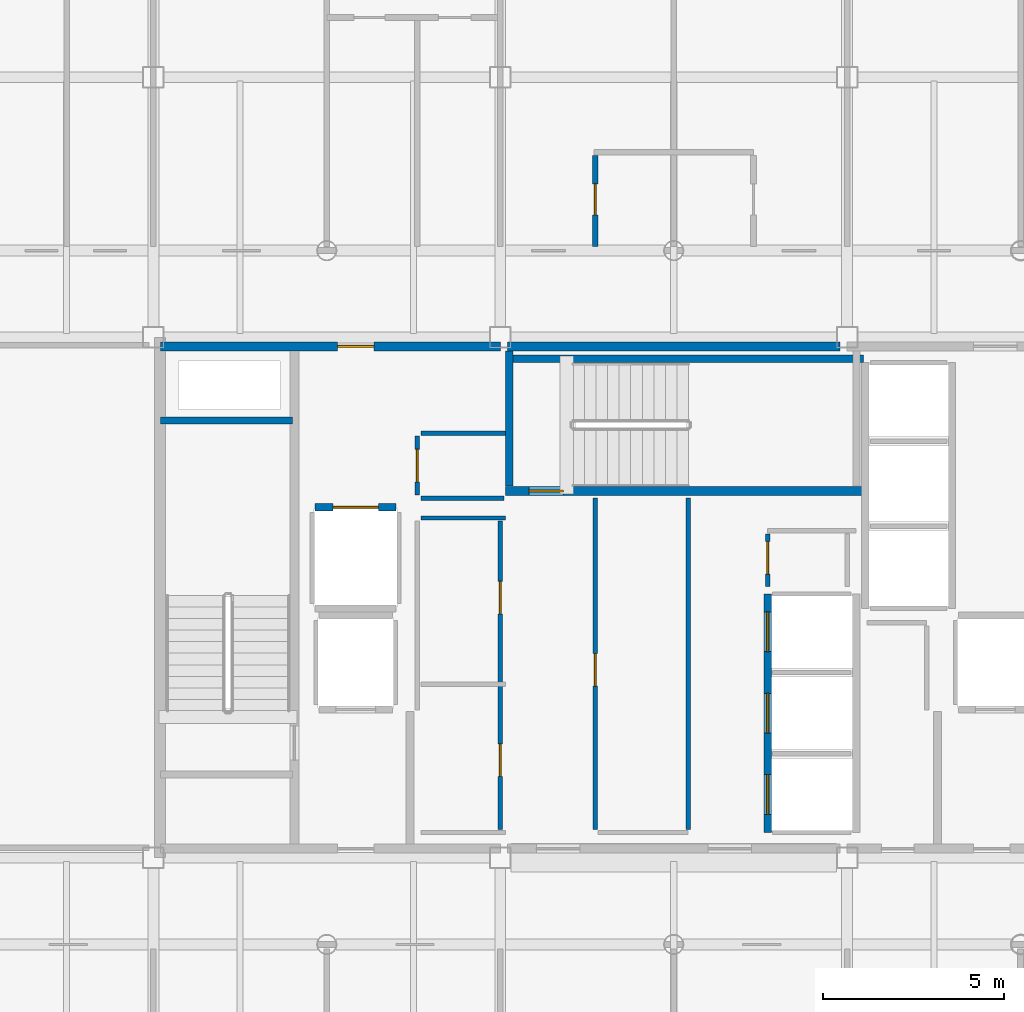
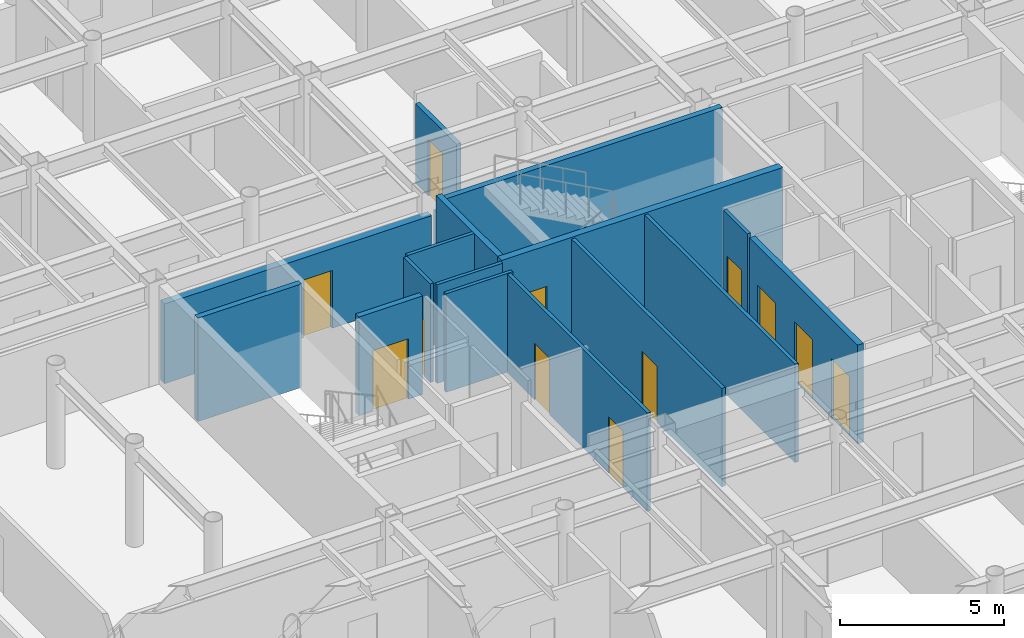
# One storey, part 19 of 23: 17 walls, 12 doors, 12 openings.
"""IFC4 building model written with IfcOpenShell, lengths in metres."""

from ifc_helpers import new_model, si_unit, direction, frame, frame_2d, origin, place, context, subcontext, project, spatial, rectangle, extrude, material, layer, layer_set, type_object, element, fill, save


model = new_model("IFC4")

# Units and contexts
model_context = context("Model", 3, precision=1e-05, world=origin(), true_north=direction((0.0, 1.0)))
body_context = subcontext(model_context, "Body", "Model", "MODEL_VIEW")
ifc_project = project(units=[si_unit("LENGTHUNIT", "METRE"), si_unit("AREAUNIT", "SQUARE_METRE"), si_unit("VOLUMEUNIT", "CUBIC_METRE"), si_unit("PLANEANGLEUNIT", "RADIAN"), si_unit("MASSUNIT", "GRAM", prefix="KILO")], contexts=[model_context])

# Site, building, storey
site_placement = place(None, origin())
site = spatial("IfcSite", under=ifc_project, at=site_placement, CompositionType="ELEMENT")
building_placement = place(site_placement, origin())
building = spatial("IfcBuilding", under=site, at=building_placement, Name="Kallvorn Hotel Tower", CompositionType="ELEMENT")
storey_placement = place(building_placement, frame((0.0, 0.0, 237.699951171875)))
storey = spatial("IfcBuildingStorey", under=building, at=storey_placement, Name="L59", CompositionType="ELEMENT", Elevation=237.699951171875)

# Wall, opening, door
ifc_material_1 = material(Name="Fire-rated double-layer acoustic gypsum drywall EI 60")
ifc_layer_1 = layer(ifc_material_1, 0.159912109375)
ifc_layer_set_1 = layer_set([ifc_layer_1], Name="WL_DEMISE_160")
wall_type_1 = type_object("IfcWallType", Name="WL_DEMISE_160", PredefinedType="PARTITIONING", material=ifc_layer_set_1)
wall_1_placement = place(storey_placement, frame((-2.17333984375, 9.719970703125, 0.0), z_axis=(0.0, 0.0, 1.0), x_axis=(0.0, 1.0, 0.0)))
wall_1 = element("IfcWall", 1, at=wall_1_placement, inside=storey, type_object=wall_type_1, Name="L59 Suite 5907 Standard King Room Partition", PredefinedType="PARTITIONING", context=body_context, shape_type="SweptSolid", body=[
    extrude(rectangle(XDim=2.51513671875, YDim=0.159912109375, at=frame_2d((1.257568359375, 0.0))), origin(), (0.0, 0.0, 1.0), 2.969970703125),
])
opening_1_placement = place(wall_1_placement, frame((0.8701171875, 0.0, 0.0)))
opening_1 = element("IfcOpeningElement", 2, at=opening_1_placement, cuts=wall_1, Name="Opening BD-I", PredefinedType="OPENING", context=body_context, shape_type="SweptSolid", body=[
    extrude(rectangle(XDim=0.860107421875, YDim=2.10009765625, at=frame_2d((0.43017578125, 1.050048828125))), frame((0.0, 0.094970703125, 0.0), z_axis=(0.0, -1.0, 0.0), x_axis=(1.0, 0.0, 0.0)), (0.0, 0.0, 1.0), 0.18994140625),
])
ifc_material_2 = material(Name="Solid-core walnut veneer fire-rated timber door leaf", Category="wood")
door_type_1 = type_object("IfcDoorType", Name="DR_BATH_860x2100", OperationType="NOTDEFINED", PredefinedType="DOOR", material=ifc_material_2)
door_1_placement = place(opening_1_placement, origin())
door_1 = element("IfcDoor", 3, at=door_1_placement, inside=storey, type_object=door_type_1, Name="L59 Suite 5907 En-Suite Bathroom Door", OperationType="SINGLE_SWING_LEFT", OverallHeight=2.10009765625, OverallWidth=0.860107421875, PredefinedType="DOOR", context=body_context, shape_type="SweptSolid", body=[
    extrude(rectangle(XDim=0.860107421875, YDim=2.10009765625, at=frame_2d((0.43017578125, 1.050048828125))), frame((0.0, 0.02490234375, 0.0), z_axis=(0.0, -1.0, 0.0), x_axis=(1.0, 0.0, 0.0)), (0.0, 0.0, 1.0), 0.050048828125),
])
fill(opening_1, door_1)

# Walls
ifc_material_3 = material(Name="Concrete C40/50", Category="concrete")
ifc_layer_2 = layer(ifc_material_3, 0.199951171875)
ifc_layer_set_2 = layer_set([ifc_layer_2], Name="WL_HOIST_200")
wall_type_2 = type_object("IfcWallType", Name="WL_HOIST_200", PredefinedType="SOLIDWALL", material=ifc_layer_set_2)
wall_2_placement = place(storey_placement, frame((-14.199951171875, 4.89990234375, -0.179931640625), z_axis=(0.0, 0.0, 1.0), x_axis=(1.0, 0.0, 0.0)))
element("IfcWall", 4, at=wall_2_placement, inside=storey, type_object=wall_type_2, Name="L59 Stair ST1 North Wall", PredefinedType="SOLIDWALL", context=body_context, shape_type="SweptSolid", body=[
    extrude(rectangle(XDim=3.64990234375, YDim=0.199951171875, at=frame_2d((1.824951171875, 0.0))), origin(), (0.0, 0.0, 1.0), 3.85009765625),
])
wall_3_placement = place(storey_placement, frame((-4.64990234375, 6.610107421875, -0.179931640625), z_axis=(0.0, 0.0, 1.0), x_axis=(1.0, 0.0, 0.0)))
element("IfcWall", 5, at=wall_3_placement, inside=storey, type_object=wall_type_2, Name="L59 Stair ST3 Shaft North Wall", PredefinedType="SOLIDWALL", context=body_context, shape_type="SweptSolid", body=[
    extrude(rectangle(XDim=9.89990234375, YDim=0.199951171875, at=frame_2d((4.949951171875, 0.0))), origin(), (0.0, 0.0, 1.0), 3.85009765625),
])
wall_4_placement = place(storey_placement, frame((-4.550048828125, 3.080078125, -0.179931640625), z_axis=(0.0, 0.0, 1.0), x_axis=(0.0, 1.0, 0.0)))
element("IfcWall", 6, at=wall_4_placement, inside=storey, type_object=wall_type_2, Name="L59 Stair ST3 West Wall", PredefinedType="SOLIDWALL", context=body_context, shape_type="SweptSolid", body=[
    extrude(rectangle(XDim=3.739990234375, YDim=0.199951171875, at=frame_2d((1.8701171875, 0.0))), origin(), (0.0, 0.0, 1.0), 3.85009765625),
])

# Wall, openings, doors
wall_5_placement = place(storey_placement, frame((2.60009765625, -6.5, 0.0), z_axis=(0.0, 0.0, 1.0), x_axis=(0.0, 1.0, 0.0)))
wall_5 = element("IfcWall", 7, at=wall_5_placement, inside=storey, type_object=wall_type_2, Name="L59 Lift Bank B3A Landing Wall", PredefinedType="SOLIDWALL", context=body_context, shape_type="SweptSolid", body=[
    extrude(rectangle(XDim=6.60009765625, YDim=0.199951171875, at=frame_2d((3.300048828125, 0.0))), origin(), (0.0, 0.0, 1.0), 3.670166015625),
])
opening_2_placement = place(wall_5_placement, frame((0.5, 0.0, 0.0)))
opening_2 = element("IfcOpeningElement", 8, at=opening_2_placement, cuts=wall_5, Name="Opening LD-PL-09", PredefinedType="OPENING", context=body_context, shape_type="SweptSolid", body=[
    extrude(rectangle(XDim=1.10009765625, YDim=2.199951171875, at=frame_2d((0.550048828125, 1.10009765625))), frame((0.0, 0.114990234375, 0.0), z_axis=(0.0, -1.0, 0.0), x_axis=(1.0, 0.0, 0.0)), (0.0, 0.0, 1.0), 0.22998046875),
])
opening_3_placement = place(wall_5_placement, frame((2.75, 0.0, 0.0)))
opening_3 = element("IfcOpeningElement", 9, at=opening_3_placement, cuts=wall_5, Name="Opening LD-PL-10", PredefinedType="OPENING", context=body_context, shape_type="SweptSolid", body=[
    extrude(rectangle(XDim=1.10009765625, YDim=2.199951171875, at=frame_2d((0.550048828125, 1.10009765625))), frame((0.0, 0.114990234375, 0.0), z_axis=(0.0, -1.0, 0.0), x_axis=(1.0, 0.0, 0.0)), (0.0, 0.0, 1.0), 0.22998046875),
])
opening_4_placement = place(wall_5_placement, frame((5.0, 0.0, 0.0)))
opening_4 = element("IfcOpeningElement", 10, at=opening_4_placement, cuts=wall_5, Name="Opening LD-PL-11", PredefinedType="OPENING", context=body_context, shape_type="SweptSolid", body=[
    extrude(rectangle(XDim=1.10009765625, YDim=2.199951171875, at=frame_2d((0.550048828125, 1.10009765625))), frame((0.0, 0.114990234375, 0.0), z_axis=(0.0, -1.0, 0.0), x_axis=(1.0, 0.0, 0.0)), (0.0, 0.0, 1.0), 0.22998046875),
])
ifc_material_4 = material(Name="Brushed stainless-steel automatic sliding lift landing door", Category="steel")
door_type_2 = type_object("IfcDoorType", Name="LD_PASS_1100x2200", OperationType="SLIDING_TO_LEFT", PredefinedType="DOOR", material=ifc_material_4)
door_2_placement = place(opening_2_placement, origin())
door_2 = element("IfcDoor", 11, at=door_2_placement, inside=storey, type_object=door_type_2, Name="L59 Lift Landing Sliding Door LD-PL-09", OperationType="SLIDING_TO_LEFT", OverallHeight=2.199951171875, OverallWidth=1.10009765625, PredefinedType="DOOR", context=body_context, shape_type="SweptSolid", body=[
    extrude(rectangle(XDim=1.10009765625, YDim=2.199951171875, at=frame_2d((0.550048828125, 1.10009765625))), frame((0.0, 0.02490234375, 0.0), z_axis=(0.0, -1.0, 0.0), x_axis=(1.0, 0.0, 0.0)), (0.0, 0.0, 1.0), 0.050048828125),
])
fill(opening_2, door_2)
door_3_placement = place(opening_3_placement, origin())
door_3 = element("IfcDoor", 12, at=door_3_placement, inside=storey, type_object=door_type_2, Name="L59 Lift Landing Sliding Door LD-PL-10", OperationType="SLIDING_TO_LEFT", OverallHeight=2.199951171875, OverallWidth=1.10009765625, PredefinedType="DOOR", context=body_context, shape_type="SweptSolid", body=[
    extrude(rectangle(XDim=1.10009765625, YDim=2.199951171875, at=frame_2d((0.550048828125, 1.10009765625))), frame((0.0, 0.02490234375, 0.0), z_axis=(0.0, -1.0, 0.0), x_axis=(1.0, 0.0, 0.0)), (0.0, 0.0, 1.0), 0.050048828125),
])
fill(opening_3, door_3)
door_4_placement = place(opening_4_placement, origin())
door_4 = element("IfcDoor", 13, at=door_4_placement, inside=storey, type_object=door_type_2, Name="L59 Lift Landing Sliding Door LD-PL-11", OperationType="SLIDING_TO_LEFT", OverallHeight=2.199951171875, OverallWidth=1.10009765625, PredefinedType="DOOR", context=body_context, shape_type="SweptSolid", body=[
    extrude(rectangle(XDim=1.10009765625, YDim=2.199951171875, at=frame_2d((0.550048828125, 1.10009765625))), frame((0.0, 0.02490234375, 0.0), z_axis=(0.0, -1.0, 0.0), x_axis=(1.0, 0.0, 0.0)), (0.0, 0.0, 1.0), 0.050048828125),
])
fill(opening_4, door_4)

# Wall, opening, door
wall_6_placement = place(storey_placement, frame((-9.919921875, 2.5, 0.0), z_axis=(0.0, 0.0, 1.0), x_axis=(1.0, 0.0, 0.0)))
wall_6 = element("IfcWall", 14, at=wall_6_placement, inside=storey, type_object=wall_type_2, Name="L59 SV-01 Landing Wall", PredefinedType="SOLIDWALL", context=body_context, shape_type="SweptSolid", body=[
    extrude(rectangle(XDim=2.239990234375, YDim=0.199951171875, at=frame_2d((1.1201171875, 0.0))), origin(), (0.0, 0.0, 1.0), 3.670166015625),
])
opening_5_placement = place(wall_6_placement, frame((0.4951171875, 0.0, 0.0)))
opening_5 = element("IfcOpeningElement", 15, at=opening_5_placement, cuts=wall_6, Name="Opening LD-SV-01", PredefinedType="OPENING", context=body_context, shape_type="SweptSolid", body=[
    extrude(rectangle(XDim=1.25, YDim=2.25, at=frame_2d((0.625, 1.125))), frame((0.0, 0.114990234375, 0.0), z_axis=(0.0, -1.0, 0.0), x_axis=(1.0, 0.0, 0.0)), (0.0, 0.0, 1.0), 0.22998046875),
])
ifc_material_5 = material(Name="Brushed stainless-steel automatic sliding lift landing door", Category="steel")
door_type_3 = type_object("IfcDoorType", Name="LD_SERV_1250x2250", OperationType="SLIDING_TO_LEFT", PredefinedType="DOOR", material=ifc_material_5)
door_5_placement = place(opening_5_placement, origin())
door_5 = element("IfcDoor", 16, at=door_5_placement, inside=storey, type_object=door_type_3, Name="L59 Lift Landing Sliding Door LD-SV-01", OperationType="SLIDING_TO_LEFT", OverallHeight=2.25, OverallWidth=1.25, PredefinedType="DOOR", context=body_context, shape_type="SweptSolid", body=[
    extrude(rectangle(XDim=1.25, YDim=2.25, at=frame_2d((0.625, 1.125))), frame((0.0, 0.02490234375, 0.0), z_axis=(0.0, -1.0, 0.0), x_axis=(1.0, 0.0, 0.0)), (0.0, 0.0, 1.0), 0.050048828125),
])
fill(opening_5, door_5)

# Walls
ifc_material_6 = material(Name="Fire-rated double-layer acoustic gypsum drywall EI 60")
ifc_layer_3 = layer(ifc_material_6, 0.1201171875)
ifc_layer_set_3 = layer_set([ifc_layer_3], Name="WL_INT_120")
wall_type_3 = type_object("IfcWallType", Name="WL_INT_120", PredefinedType="PARTITIONING", material=ifc_layer_set_3)
wall_7_placement = place(storey_placement, frame((-7.0, 2.199951171875, 0.0), z_axis=(0.0, 0.0, 1.0), x_axis=(1.0, 0.0, 0.0)))
element("IfcWall", 17, at=wall_7_placement, inside=storey, type_object=wall_type_3, Name="L59 Recaptured Central Linen Store Partition", PredefinedType="PARTITIONING", context=body_context, shape_type="SweptSolid", body=[
    extrude(rectangle(XDim=2.35009765625, YDim=0.1201171875, at=frame_2d((1.175048828125, 0.0))), origin(), (0.0, 0.0, 1.0), 3.670166015625),
])
wall_8_placement = place(storey_placement, frame((-7.0, 2.75, 0.0), z_axis=(0.0, 0.0, 1.0), x_axis=(1.0, 0.0, 0.0)))
element("IfcWall", 18, at=wall_8_placement, inside=storey, type_object=wall_type_3, Name="L59 Recaptured North Valet Closet Partition", PredefinedType="PARTITIONING", context=body_context, shape_type="SweptSolid", body=[
    extrude(rectangle(XDim=2.31005859375, YDim=0.1201171875, at=frame_2d((1.155029296875, 0.0))), origin(), (0.0, 0.0, 1.0), 3.670166015625),
])
wall_9_placement = place(storey_placement, frame((-7.0, 4.550048828125, 0.0), z_axis=(0.0, 0.0, 1.0), x_axis=(1.0, 0.0, 0.0)))
element("IfcWall", 19, at=wall_9_placement, inside=storey, type_object=wall_type_3, Name="L59 Recaptured North Valet Closet Partition", PredefinedType="PARTITIONING", context=body_context, shape_type="SweptSolid", body=[
    extrude(rectangle(XDim=2.35009765625, YDim=0.1201171875, at=frame_2d((1.175048828125, 0.0))), origin(), (0.0, 0.0, 1.0), 3.670166015625),
])

# Wall, opening, door
wall_10_placement = place(storey_placement, frame((-7.095947265625, 2.8349609375, 0.0), z_axis=(0.0, 0.0, 1.0), x_axis=(0.0, 1.0, 0.0)))
wall_10 = element("IfcWall", 20, at=wall_10_placement, inside=storey, type_object=wall_type_3, Name="L59 Recaptured North Valet Closet Partition", PredefinedType="PARTITIONING", context=body_context, shape_type="SweptSolid", body=[
    extrude(rectangle(XDim=1.630126953125, YDim=0.1201171875, at=frame_2d((0.81494140625, 0.0))), origin(), (0.0, 0.0, 1.0), 3.670166015625),
])
opening_6_placement = place(wall_10_placement, frame((0.364990234375, 0.0, 0.0)))
opening_6 = element("IfcOpeningElement", 21, at=opening_6_placement, cuts=wall_10, Name="Opening SVD1", PredefinedType="OPENING", context=body_context, shape_type="SweptSolid", body=[
    extrude(rectangle(XDim=0.89990234375, YDim=2.10009765625, at=frame_2d((0.449951171875, 1.050048828125))), frame((0.0, 0.074951171875, 0.0), z_axis=(0.0, -1.0, 0.0), x_axis=(1.0, 0.0, 0.0)), (0.0, 0.0, 1.0), 0.150146484375),
])
ifc_material_7 = material(Name="Galvanised painted steel fire-rated door assembly", Category="steel")
door_type_4 = type_object("IfcDoorType", Name="DR_SERV_900x2100", OperationType="NOTDEFINED", PredefinedType="DOOR", material=ifc_material_7)
door_6_placement = place(opening_6_placement, origin())
door_6 = element("IfcDoor", 22, at=door_6_placement, inside=storey, type_object=door_type_4, Name="L59 Recaptured North Valet Closet Door", OperationType="SINGLE_SWING_LEFT", OverallHeight=2.10009765625, OverallWidth=0.89990234375, PredefinedType="DOOR", context=body_context, shape_type="SweptSolid", body=[
    extrude(rectangle(XDim=0.89990234375, YDim=2.10009765625, at=frame_2d((0.449951171875, 1.050048828125))), frame((0.0, 0.02490234375, 0.0), z_axis=(0.0, -1.0, 0.0), x_axis=(1.0, 0.0, 0.0)), (0.0, 0.0, 1.0), 0.050048828125),
])
fill(opening_6, door_6)

# Wall, openings, doors
wall_11_placement = place(storey_placement, frame((-4.800048828125, -6.4150390625, 0.0), z_axis=(0.0, 0.0, 1.0), x_axis=(0.0, 1.0, 0.0)))
wall_11 = element("IfcWall", 23, at=wall_11_placement, inside=storey, type_object=wall_type_3, Name="L59 Recaptured South Minibar Pantry Partition", PredefinedType="PARTITIONING", context=body_context, shape_type="SweptSolid", body=[
    extrude(rectangle(XDim=8.530029296875, YDim=0.1201171875, at=frame_2d((4.26513671875, 0.0))), origin(), (0.0, 0.0, 1.0), 3.670166015625),
])
opening_7_placement = place(wall_11_placement, frame((1.465087890625, 0.0, 0.0)))
opening_7 = element("IfcOpeningElement", 24, at=opening_7_placement, cuts=wall_11, Name="Opening SVD1", PredefinedType="OPENING", context=body_context, shape_type="SweptSolid", body=[
    extrude(rectangle(XDim=0.89990234375, YDim=2.10009765625, at=frame_2d((0.449951171875, 1.050048828125))), frame((0.0, 0.074951171875, 0.0), z_axis=(0.0, -1.0, 0.0), x_axis=(1.0, 0.0, 0.0)), (0.0, 0.0, 1.0), 0.150146484375),
])
opening_8_placement = place(wall_11_placement, frame((5.965087890625, 0.0, 0.0)))
opening_8 = element("IfcOpeningElement", 25, at=opening_8_placement, cuts=wall_11, Name="Opening SVD1", PredefinedType="OPENING", context=body_context, shape_type="SweptSolid", body=[
    extrude(rectangle(XDim=0.89990234375, YDim=2.10009765625, at=frame_2d((0.449951171875, 1.050048828125))), frame((0.0, 0.074951171875, 0.0), z_axis=(0.0, -1.0, 0.0), x_axis=(1.0, 0.0, 0.0)), (0.0, 0.0, 1.0), 0.150146484375),
])
door_7_placement = place(opening_7_placement, origin())
door_7 = element("IfcDoor", 26, at=door_7_placement, inside=storey, type_object=door_type_4, Name="L59 Recaptured South Minibar Pantry Door", OperationType="SINGLE_SWING_RIGHT", OverallHeight=2.10009765625, OverallWidth=0.89990234375, PredefinedType="DOOR", context=body_context, shape_type="SweptSolid", body=[
    extrude(rectangle(XDim=0.89990234375, YDim=2.10009765625, at=frame_2d((0.449951171875, 1.050048828125))), frame((0.0, 0.02490234375, 0.0), z_axis=(0.0, -1.0, 0.0), x_axis=(1.0, 0.0, 0.0)), (0.0, 0.0, 1.0), 0.050048828125),
])
fill(opening_7, door_7)
door_8_placement = place(opening_8_placement, origin())
door_8 = element("IfcDoor", 27, at=door_8_placement, inside=storey, type_object=door_type_4, Name="L59 Recaptured Central Linen Store Door", OperationType="SINGLE_SWING_RIGHT", OverallHeight=2.10009765625, OverallWidth=0.89990234375, PredefinedType="DOOR", context=body_context, shape_type="SweptSolid", body=[
    extrude(rectangle(XDim=0.89990234375, YDim=2.10009765625, at=frame_2d((0.449951171875, 1.050048828125))), frame((0.0, 0.02490234375, 0.0), z_axis=(0.0, -1.0, 0.0), x_axis=(1.0, 0.0, 0.0)), (0.0, 0.0, 1.0), 0.050048828125),
])
fill(opening_8, door_8)

# Wall, opening, door
wall_12_placement = place(storey_placement, frame((-2.17333984375, -6.4150390625, 0.0), z_axis=(0.0, 0.0, 1.0), x_axis=(0.0, 1.0, 0.0)))
wall_12 = element("IfcWall", 28, at=wall_12_placement, inside=storey, type_object=wall_type_3, Name="L59 Altitude Executive Pantry and Ice Room Partition", PredefinedType="PARTITIONING", context=body_context, shape_type="SweptSolid", body=[
    extrude(rectangle(XDim=9.1650390625, YDim=0.1201171875, at=frame_2d((4.58251953125, 0.0))), origin(), (0.0, 0.0, 1.0), 3.670166015625),
])
opening_9_placement = place(wall_12_placement, frame((3.965087890625, 0.0, 0.0)))
opening_9 = element("IfcOpeningElement", 29, at=opening_9_placement, cuts=wall_12, Name="Opening SVD1", PredefinedType="OPENING", context=body_context, shape_type="SweptSolid", body=[
    extrude(rectangle(XDim=0.89990234375, YDim=2.10009765625, at=frame_2d((0.449951171875, 1.050048828125))), frame((0.0, 0.074951171875, 0.0), z_axis=(0.0, -1.0, 0.0), x_axis=(1.0, 0.0, 0.0)), (0.0, 0.0, 1.0), 0.150146484375),
])
door_9_placement = place(opening_9_placement, origin())
door_9 = element("IfcDoor", 30, at=door_9_placement, inside=storey, type_object=door_type_4, Name="L59 Altitude Executive Pantry and Ice Room Door", OperationType="SINGLE_SWING_RIGHT", OverallHeight=2.10009765625, OverallWidth=0.89990234375, PredefinedType="DOOR", context=body_context, shape_type="SweptSolid", body=[
    extrude(rectangle(XDim=0.89990234375, YDim=2.10009765625, at=frame_2d((0.449951171875, 1.050048828125))), frame((0.0, 0.02490234375, 0.0), z_axis=(0.0, -1.0, 0.0), x_axis=(1.0, 0.0, 0.0)), (0.0, 0.0, 1.0), 0.050048828125),
])
fill(opening_9, door_9)

# Wall
wall_13_placement = place(storey_placement, frame((0.39990234375, -6.4150390625, 0.0), z_axis=(0.0, 0.0, 1.0), x_axis=(0.0, 1.0, 0.0)))
element("IfcWall", 31, at=wall_13_placement, inside=storey, type_object=wall_type_3, Name="L59 Altitude Executive Pantry and Ice Room Partition", PredefinedType="PARTITIONING", context=body_context, shape_type="SweptSolid", body=[
    extrude(rectangle(XDim=9.1650390625, YDim=0.1201171875, at=frame_2d((4.58251953125, 0.0))), origin(), (0.0, 0.0, 1.0), 3.670166015625),
])

# Wall, opening, door
wall_14_placement = place(storey_placement, frame((2.60009765625, 0.300048828125, 0.0), z_axis=(0.0, 0.0, 1.0), x_axis=(0.0, 1.0, 0.0)))
wall_14 = element("IfcWall", 32, at=wall_14_placement, inside=storey, type_object=wall_type_3, Name="L59 East Core Ice Pantry Partition", PredefinedType="PARTITIONING", context=body_context, shape_type="SweptSolid", body=[
    extrude(rectangle(XDim=1.46484375, YDim=0.1201171875, at=frame_2d((0.732421875, 0.0))), origin(), (0.0, 0.0, 1.0), 3.670166015625),
])
opening_10_placement = place(wall_14_placement, frame((0.344970703125, 0.0, 0.0)))
opening_10 = element("IfcOpeningElement", 33, at=opening_10_placement, cuts=wall_14, Name="Opening SVD1", PredefinedType="OPENING", context=body_context, shape_type="SweptSolid", body=[
    extrude(rectangle(XDim=0.89990234375, YDim=2.10009765625, at=frame_2d((0.449951171875, 1.050048828125))), frame((0.0, 0.074951171875, 0.0), z_axis=(0.0, -1.0, 0.0), x_axis=(1.0, 0.0, 0.0)), (0.0, 0.0, 1.0), 0.150146484375),
])
door_10_placement = place(opening_10_placement, origin())
door_10 = element("IfcDoor", 34, at=door_10_placement, inside=storey, type_object=door_type_4, Name="L59 East Core Ice Pantry Door", OperationType="SINGLE_SWING_LEFT", OverallHeight=2.10009765625, OverallWidth=0.89990234375, PredefinedType="DOOR", context=body_context, shape_type="SweptSolid", body=[
    extrude(rectangle(XDim=0.89990234375, YDim=2.10009765625, at=frame_2d((0.449951171875, 1.050048828125))), frame((0.0, 0.02490234375, 0.0), z_axis=(0.0, -1.0, 0.0), x_axis=(1.0, 0.0, 0.0)), (0.0, 0.0, 1.0), 0.050048828125),
])
fill(opening_10, door_10)

ifc_material_8 = material(Name="Concrete C40/50", Category="concrete")
ifc_layer_4 = layer(ifc_material_8, 0.25)
ifc_layer_set_4 = layer_set([ifc_layer_4], Name="WL_SHAFT_250")
wall_type_4 = type_object("IfcWallType", Name="WL_SHAFT_250", PredefinedType="SOLIDWALL", material=ifc_layer_set_4)
wall_15_placement = place(storey_placement, frame((-14.199951171875, 6.949951171875, 0.0), z_axis=(0.0, 0.0, 1.0), x_axis=(1.0, 0.0, 0.0)))
wall_15 = element("IfcWall", 35, at=wall_15_placement, inside=storey, type_object=wall_type_4, Name="L59 Core North-West Wall", PredefinedType="SOLIDWALL", context=body_context, shape_type="SweptSolid", body=[
    extrude(rectangle(XDim=9.39990234375, YDim=0.25, at=frame_2d((4.699951171875, 0.0))), origin(), (0.0, 0.0, 1.0), 2.969970703125),
])
opening_11_placement = place(wall_15_placement, frame((4.89990234375, 0.0, 0.0)))
opening_11 = element("IfcOpeningElement", 36, at=opening_11_placement, cuts=wall_15, Name="Opening FD1", PredefinedType="OPENING", context=body_context, shape_type="SweptSolid", body=[
    extrude(rectangle(XDim=1.0, YDim=2.14990234375, at=frame_2d((0.5, 1.074951171875))), frame((0.0, 0.139892578125, 0.0), z_axis=(0.0, -1.0, 0.0), x_axis=(1.0, 0.0, 0.0)), (0.0, 0.0, 1.0), 0.280029296875),
])
ifc_material_9 = material(Name="Galvanised painted steel fire-rated door assembly", Category="steel")
door_type_5 = type_object("IfcDoorType", Name="DR_FFL_1000x2150", OperationType="NOTDEFINED", PredefinedType="DOOR", material=ifc_material_9)
door_11_placement = place(opening_11_placement, origin())
door_11 = element("IfcDoor", 37, at=door_11_placement, inside=storey, type_object=door_type_5, Name="L59 Service Lift Lobby Door", OperationType="SINGLE_SWING_LEFT", OverallHeight=2.14990234375, OverallWidth=1.0, PredefinedType="DOOR", context=body_context, shape_type="SweptSolid", body=[
    extrude(rectangle(XDim=1.0, YDim=2.14990234375, at=frame_2d((0.5, 1.074951171875))), frame((0.0, 0.02490234375, 0.0), z_axis=(0.0, -1.0, 0.0), x_axis=(1.0, 0.0, 0.0)), (0.0, 0.0, 1.0), 0.050048828125),
])
fill(opening_11, door_11)

# Wall
wall_16_placement = place(storey_placement, frame((-4.60009765625, 6.949951171875, 0.0), z_axis=(0.0, 0.0, 1.0), x_axis=(1.0, 0.0, 0.0)))
element("IfcWall", 38, at=wall_16_placement, inside=storey, type_object=wall_type_4, Name="L59 Core North-Central Wall", PredefinedType="SOLIDWALL", context=body_context, shape_type="SweptSolid", body=[
    extrude(rectangle(XDim=9.2001953125, YDim=0.25, at=frame_2d((4.60009765625, 0.0))), origin(), (0.0, 0.0, 1.0), 2.969970703125),
])

# Wall, opening, door
wall_17_placement = place(storey_placement, frame((-4.64990234375, 2.949951171875, -0.179931640625), z_axis=(0.0, 0.0, 1.0), x_axis=(1.0, 0.0, 0.0)))
wall_17 = element("IfcWall", 39, at=wall_17_placement, inside=storey, type_object=wall_type_4, Name="L59 Stair ST3 Shaft South Wall", PredefinedType="SOLIDWALL", context=body_context, shape_type="SweptSolid", body=[
    extrude(rectangle(XDim=9.89990234375, YDim=0.25, at=frame_2d((4.949951171875, 0.0))), origin(), (0.0, 0.0, 1.0), 3.85009765625),
])
opening_12_placement = place(wall_17_placement, frame((0.64990234375, 0.0, 0.179931640625)))
opening_12 = element("IfcOpeningElement", 40, at=opening_12_placement, cuts=wall_17, Name="Opening SD1", PredefinedType="OPENING", context=body_context, shape_type="SweptSolid", body=[
    extrude(rectangle(XDim=0.949951171875, YDim=2.14990234375, at=frame_2d((0.47509765625, 1.074951171875))), frame((0.0, 0.139892578125, 0.0), z_axis=(0.0, -1.0, 0.0), x_axis=(1.0, 0.0, 0.0)), (0.0, 0.0, 1.0), 0.280029296875),
])
ifc_material_10 = material(Name="Galvanised painted steel fire-rated door assembly", Category="steel")
door_type_6 = type_object("IfcDoorType", Name="DR_STAIR_950x2150", OperationType="NOTDEFINED", PredefinedType="DOOR", material=ifc_material_10)
door_12_placement = place(opening_12_placement, origin())
door_12 = element("IfcDoor", 41, at=door_12_placement, inside=storey, type_object=door_type_6, Name="L59 Exit Stair ST3 Fire Door", OperationType="SINGLE_SWING_LEFT", OverallHeight=2.14990234375, OverallWidth=0.949951171875, PredefinedType="DOOR", context=body_context, shape_type="SweptSolid", body=[
    extrude(rectangle(XDim=0.949951171875, YDim=2.14990234375, at=frame_2d((0.47509765625, 1.074951171875))), frame((0.0, 0.02490234375, 0.0), z_axis=(0.0, -1.0, 0.0), x_axis=(1.0, 0.0, 0.0)), (0.0, 0.0, 1.0), 0.050048828125),
])
fill(opening_12, door_12)

save(model, "model.ifc")
